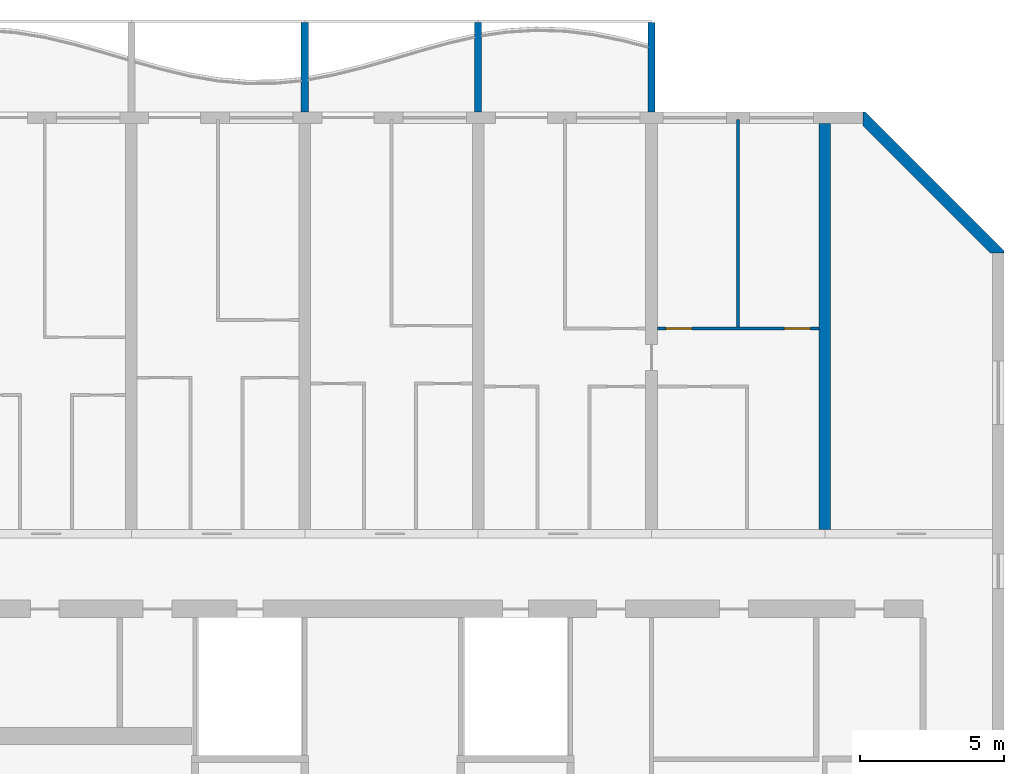
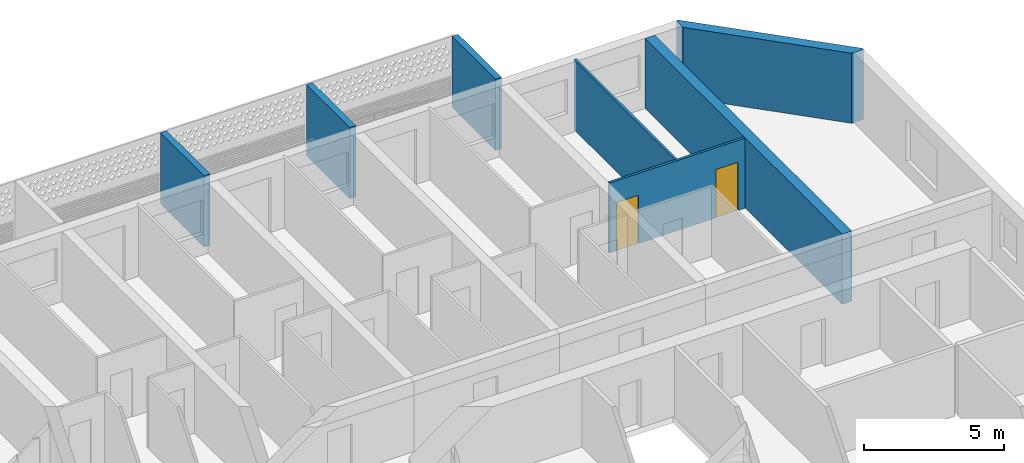
# One storey, part 16 of 39: 7 walls, 2 doors, 2 openings.
"""IFC4 building model written with IfcOpenShell, lengths in metres."""

from ifc_helpers import new_model, si_unit, direction, frame, frame_2d, origin, place, context, subcontext, project, spatial, polyline, rectangle, outline, extrude, source, transform, mapped, material, layer, layer_set, type_object, element, fill, save


model = new_model("IFC4")

# Units and contexts
model_context = context("Model", 3, precision=1e-05, world=origin(), true_north=direction((0.0, 1.0)))
body_context = subcontext(model_context, "Body", "Model", "MODEL_VIEW")
ifc_project = project(units=[si_unit("LENGTHUNIT", "METRE"), si_unit("AREAUNIT", "SQUARE_METRE"), si_unit("VOLUMEUNIT", "CUBIC_METRE"), si_unit("PLANEANGLEUNIT", "RADIAN"), si_unit("MASSUNIT", "GRAM", prefix="KILO")], contexts=[model_context])

# Site, building, storey
site_placement = place(None, origin())
site = spatial("IfcSite", under=ifc_project, at=site_placement, CompositionType="ELEMENT")
building_placement = place(site_placement, origin())
building = spatial("IfcBuilding", under=site, at=building_placement, Name="Poui Terraces", CompositionType="ELEMENT")
storey_placement = place(building_placement, frame((0.0, 0.0, 59.699951171875)))
storey = spatial("IfcBuildingStorey", under=building, at=storey_placement, Name="L16", CompositionType="ELEMENT", Elevation=59.699951171875)

# Wall
ifc_material_1 = material(Name="Concrete 80 MPa", Category="concrete")
ifc_layer_1 = layer(ifc_material_1, 0.39990234375)
ifc_layer_set_1 = layer_set([ifc_layer_1], Name="Concrete 80 MPa")
wall_type_1 = type_object("IfcWallType", Name="CROSS WALL 400 80MPa", PredefinedType="SHEAR", material=ifc_layer_set_1)
wall_1_placement = place(storey_placement, frame((90.0, 30.550048828125, 0.0), z_axis=(0.0, 0.0, 1.0), x_axis=(0.0, 1.0, 0.0)))
element("IfcWall", 1, at=wall_1_placement, inside=storey, type_object=wall_type_1, Name="CROSS WALL LINE 16 NORTH", PredefinedType="SHEAR", context=body_context, shape_type="SweptSolid", body=[
    extrude(rectangle(XDim=14.050048828125, YDim=0.39990234375, at=frame_2d((7.02490234375, 0.0))), origin(), (0.0, 0.0, 1.0), 3.050048828125),
])

# Wall, openings, doors
ifc_material_2 = material(Name="Plasterboard partition")
ifc_layer_2 = layer(ifc_material_2, 0.10009765625)
ifc_layer_set_2 = layer_set([ifc_layer_2], Name="Plasterboard partition")
wall_type_2 = type_object("IfcWallType", Name="FLAT PARTITION 100", PredefinedType="PARTITIONING", material=ifc_layer_set_2)
wall_2_placement = place(storey_placement, frame((84.2099609375, 37.5, 0.0), z_axis=(0.0, 0.0, 1.0), x_axis=(1.0, 0.0, 0.0)))
wall_2 = element("IfcWall", 2, at=wall_2_placement, inside=storey, type_object=wall_type_2, Name="FLAT PARTITION 100", PredefinedType="PARTITIONING", context=body_context, shape_type="SweptSolid", body=[
    extrude(rectangle(XDim=5.580078125, YDim=0.10009765625, at=frame_2d((2.7900390625, 0.0))), origin(), (0.0, 0.0, 1.0), 3.050048828125),
])
opening_1_placement = place(wall_2_placement, frame((0.2900390625, 0.0, 0.0)))
opening_1 = element("IfcOpeningElement", 3, at=opening_1_placement, cuts=wall_2, Name="Opening D90", PredefinedType="OPENING", context=body_context, shape_type="SweptSolid", body=[
    extrude(rectangle(XDim=0.89990234375, YDim=2.10009765625, at=frame_2d((0.449951171875, 1.050048828125))), frame((0.0, 0.06005859375, 0.0), z_axis=(0.0, -1.0, 0.0), x_axis=(1.0, 0.0, 0.0)), (0.0, 0.0, 1.0), 0.1201171875),
])
opening_2_placement = place(wall_2_placement, frame((4.389892578125, 0.0, 0.0)))
opening_2 = element("IfcOpeningElement", 4, at=opening_2_placement, cuts=wall_2, Name="Opening D90", PredefinedType="OPENING", context=body_context, shape_type="SweptSolid", body=[
    extrude(rectangle(XDim=0.89990234375, YDim=2.10009765625, at=frame_2d((0.449951171875, 1.050048828125))), frame((0.0, 0.06005859375, 0.0), z_axis=(0.0, -1.0, 0.0), x_axis=(1.0, 0.0, 0.0)), (0.0, 0.0, 1.0), 0.1201171875),
])
ifc_material_3 = material(Name="Solid core timber door", Category="wood")
door_type = type_object("IfcDoorType", Name="INTERNAL DOOR 900 X 2100", OperationType="NOTDEFINED", PredefinedType="DOOR", material=ifc_material_3)
door_1_placement = place(opening_1_placement, origin())
door_1 = element("IfcDoor", 5, at=door_1_placement, inside=storey, type_object=door_type, Name="INTERNAL DOOR 075", OperationType="SINGLE_SWING_LEFT", OverallHeight=2.10009765625, OverallWidth=0.89990234375, PredefinedType="DOOR", context=body_context, shape_type="SweptSolid", body=[
    extrude(rectangle(XDim=0.89990234375, YDim=2.10009765625, at=frame_2d((0.449951171875, 1.050048828125))), frame((0.0, 0.02490234375, 0.0), z_axis=(0.0, -1.0, 0.0), x_axis=(1.0, 0.0, 0.0)), (0.0, 0.0, 1.0), 0.050048828125),
])
fill(opening_1, door_1)
door_2_placement = place(opening_2_placement, origin())
door_2 = element("IfcDoor", 6, at=door_2_placement, inside=storey, type_object=door_type, Name="INTERNAL DOOR 077", OperationType="SINGLE_SWING_RIGHT", OverallHeight=2.10009765625, OverallWidth=0.89990234375, PredefinedType="DOOR", context=body_context, shape_type="SweptSolid", body=[
    extrude(rectangle(XDim=0.89990234375, YDim=2.10009765625, at=frame_2d((0.449951171875, 1.050048828125))), frame((0.0, 0.02490234375, 0.0), z_axis=(0.0, -1.0, 0.0), x_axis=(1.0, 0.0, 0.0)), (0.0, 0.0, 1.0), 0.050048828125),
])
fill(opening_2, door_2)

# Walls
wall_3_placement = place(storey_placement, frame((87.0, 37.550048828125, 0.0), z_axis=(0.0, 0.0, 1.0), x_axis=(0.0, 1.0, 0.0)))
element("IfcWall", 7, at=wall_3_placement, inside=storey, type_object=wall_type_2, Name="FLAT PARTITION 100", PredefinedType="PARTITIONING", context=body_context, shape_type="SweptSolid", body=[
    extrude(rectangle(XDim=7.18994140625, YDim=0.10009765625, at=frame_2d((3.594970703125, 0.0))), origin(), (0.0, 0.0, 1.0), 3.050048828125),
])
ifc_material_4 = material(Name="Precast concrete 40 MPa", Category="concrete")
ifc_layer_3 = layer(ifc_material_4, 0.39990234375)
ifc_layer_set_3 = layer_set([ifc_layer_3], Name="Precast concrete 40 MPa")
wall_type_3 = type_object("IfcWallType", Name="TERRACOTTA CLAD CHAMFER WALL 400", PredefinedType="STANDARD", material=ifc_layer_set_3)
wall_4_placement = place(storey_placement, origin())
element("IfcWall", 8, at=wall_4_placement, inside=storey, type_object=wall_type_3, Name="CHAMFER WALL CH03", PredefinedType="STANDARD", context=body_context, shape_type="SweptSolid", body=[
    extrude(outline(polyline([(96.199951171875, 40.1171875), (96.199951171875, 40.199951171875), (91.39990234375, 45.0), (91.317138671875, 45.0), (91.317138671875, 44.51708984375), (95.71728515625, 40.1171875), (96.199951171875, 40.1171875)])), origin(), (0.0, 0.0, 1.0), 3.050048828125),
])
ifc_layer_4 = layer(ifc_material_4, 0.25)
ifc_layer_set_4 = layer_set([ifc_layer_4], Name="Precast concrete 40 MPa")
wall_type_4 = type_object("IfcWallType", Name="BALCONY FIN 250", PredefinedType="STANDARD", material=ifc_layer_set_4)
shared_shape = source(origin(), body_context, "Body", "SweptSolid", [
    extrude(outline(polyline([(0.0, 0.0), (0.25, 0.0), (0.25, 3.10009765625), (0.0, 3.10009765625), (0.0, 0.0)])), origin(), (0.0, 0.0, 1.0), 3.10009765625),
])
for number, where, name in (
    (9, (71.875, 45.0, 0.0), "BALCONY FIN"),
    (10, (77.875, 45.0, 0.0), "BALCONY FIN"),
    (11, (83.875, 45.0, 0.0), "BALCONY FIN"),
):
    element("IfcWall", number, at=place(storey_placement, frame(where)), inside=storey, type_object=wall_type_4, Name=name, PredefinedType="STANDARD", context=body_context, shape_type="MappedRepresentation", body=[
        mapped(shared_shape, transform((0.0, 0.0, 0.0))),
    ])

save(model, "model.ifc")
